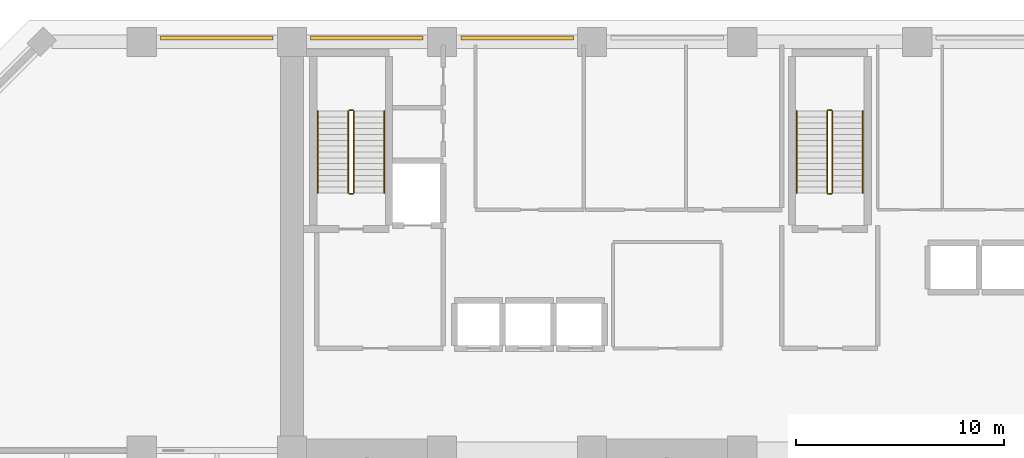
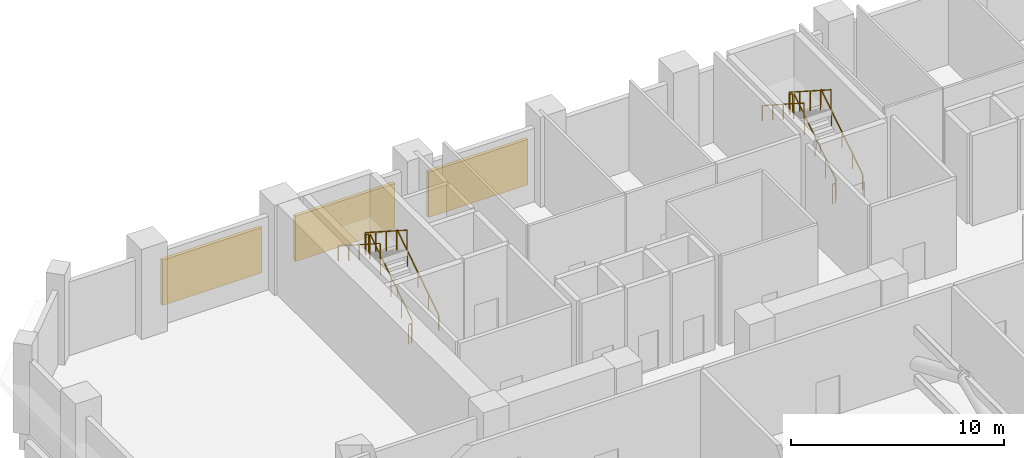
# One storey, part 13 of 15: 12 railings, 3 shading devices.
"""IFC4 building model written with IfcOpenShell, lengths in metres."""

from ifc_helpers import new_model, si_unit, direction, frame, origin, origin_2d, place, context, subcontext, project, spatial, rectangle, extrude, material, type_object, element, save


model = new_model("IFC4")

# Units and contexts
model_context = context("Model", 3, precision=1e-05, world=origin(), true_north=direction((0.0, 1.0)))
body_context = subcontext(model_context, "Body", "Model", "MODEL_VIEW")
ifc_project = project(units=[si_unit("LENGTHUNIT", "METRE"), si_unit("AREAUNIT", "SQUARE_METRE"), si_unit("VOLUMEUNIT", "CUBIC_METRE"), si_unit("PLANEANGLEUNIT", "RADIAN"), si_unit("MASSUNIT", "GRAM", prefix="KILO")], contexts=[model_context])

# Site, building, storey
site_placement = place(None, origin())
site = spatial("IfcSite", under=ifc_project, at=site_placement, CompositionType="ELEMENT")
building_placement = place(site_placement, origin())
building = spatial("IfcBuilding", under=site, at=building_placement, Name="Kaelvorn Grand Hotel", CompositionType="ELEMENT")
storey_placement = place(building_placement, frame((0.0, 0.0, 80.14990234375)))
storey = spatial("IfcBuildingStorey", under=building, at=storey_placement, Name="L18", CompositionType="ELEMENT", Elevation=80.14990234375)

# Railings
ifc_material_1 = material(Name="Stainless Steel", Category="steel")
railing_type_1 = type_object("IfcRailingType", Name="RL-HANDRAIL-900", PredefinedType="HANDRAIL", material=ifc_material_1)
railing_1_placement = place(storey_placement, frame((20.6298828125, 41.760009765625, 0.18017578125)))
element("IfcRailing", 1, at=railing_1_placement, inside=storey, type_object=railing_type_1, Name="L18 ST1 stair handrail 1", PredefinedType="HANDRAIL", context=body_context, shape_type="SweptSolid", body=[
    extrude(rectangle(XDim=0.048095703125, YDim=0.048095703125, at=origin_2d()), frame((0.0, 0.0, 0.8759765625), z_axis=(0.0, 0.841171666519, 0.540768182723), x_axis=(-1.0, 0.0, 0.0)), (0.0, 0.0, 1.0), 4.66015625),
    extrude(rectangle(XDim=0.0419921875, YDim=0.0419921875, at=origin_2d()), origin(), (0.0, 0.0, 1.0), 0.851806640625),
    extrude(rectangle(XDim=0.0419921875, YDim=0.0419921875, at=origin_2d()), frame((0.0, 0.97998046875, 0.6298828125)), (0.0, 0.0, 1.0), 0.851806640625),
    extrude(rectangle(XDim=0.0419921875, YDim=0.0419921875, at=origin_2d()), frame((0.0, 1.9599609375, 1.260009765625)), (0.0, 0.0, 1.0), 0.851806640625),
    extrude(rectangle(XDim=0.0419921875, YDim=0.0419921875, at=origin_2d()), frame((0.0, 2.93994140625, 1.89013671875)), (0.0, 0.0, 1.0), 0.851806640625),
    extrude(rectangle(XDim=0.0419921875, YDim=0.0419921875, at=origin_2d()), frame((0.0, 3.919921875, 2.52001953125)), (0.0, 0.0, 1.0), 0.851806640625),
])
railing_2_placement = place(storey_placement, frame((17.449951171875, 45.679931640625, 2.880126953125)))
element("IfcRailing", 2, at=railing_2_placement, inside=storey, type_object=railing_type_1, Name="L18 ST1 stair handrail 2", PredefinedType="HANDRAIL", context=body_context, shape_type="SweptSolid", body=[
    extrude(rectangle(XDim=0.048095703125, YDim=0.048095703125, at=origin_2d()), frame((0.0, 0.0, 0.8759765625), z_axis=(0.0, -0.841171666519, 0.540768182723), x_axis=(1.0, 0.0, 0.0)), (0.0, 0.0, 1.0), 4.66015625),
    extrude(rectangle(XDim=0.0419921875, YDim=0.0419921875, at=origin_2d()), origin(), (0.0, 0.0, 1.0), 0.851806640625),
    extrude(rectangle(XDim=0.0419921875, YDim=0.0419921875, at=origin_2d()), frame((0.0, -0.97998046875, 0.6298828125)), (0.0, 0.0, 1.0), 0.851806640625),
    extrude(rectangle(XDim=0.0419921875, YDim=0.0419921875, at=origin_2d()), frame((0.0, -1.9599609375, 1.260009765625)), (0.0, 0.0, 1.0), 0.851806640625),
    extrude(rectangle(XDim=0.0419921875, YDim=0.0419921875, at=origin_2d()), frame((0.0, -2.93994140625, 1.89013671875)), (0.0, 0.0, 1.0), 0.851806640625),
    extrude(rectangle(XDim=0.0419921875, YDim=0.0419921875, at=origin_2d()), frame((0.0, -3.919921875, 2.52001953125)), (0.0, 0.0, 1.0), 0.851806640625),
])
railing_3_placement = place(storey_placement, frame((43.590087890625, 41.760009765625, 0.18017578125)))
element("IfcRailing", 3, at=railing_3_placement, inside=storey, type_object=railing_type_1, Name="L18 ST2 stair handrail 1", PredefinedType="HANDRAIL", context=body_context, shape_type="SweptSolid", body=[
    extrude(rectangle(XDim=0.048095703125, YDim=0.048095703125, at=origin_2d()), frame((0.0, 0.0, 0.8759765625), z_axis=(0.0, 0.841171666519, 0.540768182723), x_axis=(-1.0, 0.0, 0.0)), (0.0, 0.0, 1.0), 4.66015625),
    extrude(rectangle(XDim=0.0419921875, YDim=0.0419921875, at=origin_2d()), origin(), (0.0, 0.0, 1.0), 0.851806640625),
    extrude(rectangle(XDim=0.0419921875, YDim=0.0419921875, at=origin_2d()), frame((0.0, 0.97998046875, 0.6298828125)), (0.0, 0.0, 1.0), 0.851806640625),
    extrude(rectangle(XDim=0.0419921875, YDim=0.0419921875, at=origin_2d()), frame((0.0, 1.9599609375, 1.260009765625)), (0.0, 0.0, 1.0), 0.851806640625),
    extrude(rectangle(XDim=0.0419921875, YDim=0.0419921875, at=origin_2d()), frame((0.0, 2.93994140625, 1.89013671875)), (0.0, 0.0, 1.0), 0.851806640625),
    extrude(rectangle(XDim=0.0419921875, YDim=0.0419921875, at=origin_2d()), frame((0.0, 3.919921875, 2.52001953125)), (0.0, 0.0, 1.0), 0.851806640625),
])
railing_4_placement = place(storey_placement, frame((40.409912109375, 45.679931640625, 2.880126953125)))
element("IfcRailing", 4, at=railing_4_placement, inside=storey, type_object=railing_type_1, Name="L18 ST2 stair handrail 2", PredefinedType="HANDRAIL", context=body_context, shape_type="SweptSolid", body=[
    extrude(rectangle(XDim=0.048095703125, YDim=0.048095703125, at=origin_2d()), frame((0.0, 0.0, 0.8759765625), z_axis=(0.0, -0.841171666519, 0.540768182723), x_axis=(1.0, 0.0, 0.0)), (0.0, 0.0, 1.0), 4.66015625),
    extrude(rectangle(XDim=0.0419921875, YDim=0.0419921875, at=origin_2d()), origin(), (0.0, 0.0, 1.0), 0.851806640625),
    extrude(rectangle(XDim=0.0419921875, YDim=0.0419921875, at=origin_2d()), frame((0.0, -0.97998046875, 0.6298828125)), (0.0, 0.0, 1.0), 0.851806640625),
    extrude(rectangle(XDim=0.0419921875, YDim=0.0419921875, at=origin_2d()), frame((0.0, -1.9599609375, 1.260009765625)), (0.0, 0.0, 1.0), 0.851806640625),
    extrude(rectangle(XDim=0.0419921875, YDim=0.0419921875, at=origin_2d()), frame((0.0, -2.93994140625, 1.89013671875)), (0.0, 0.0, 1.0), 0.851806640625),
    extrude(rectangle(XDim=0.0419921875, YDim=0.0419921875, at=origin_2d()), frame((0.0, -3.919921875, 2.52001953125)), (0.0, 0.0, 1.0), 0.851806640625),
])
railing_type_2 = type_object("IfcRailingType", Name="RL-STAIR-GUARD-1150", PredefinedType="BALUSTRADE", material=ifc_material_1)
railing_5_placement = place(storey_placement, frame((19.169921875, 41.760009765625, 0.18017578125)))
element("IfcRailing", 5, at=railing_5_placement, inside=storey, type_object=railing_type_2, Name="L18 ST1 stair guard 1", PredefinedType="BALUSTRADE", context=body_context, shape_type="SweptSolid", body=[
    extrude(rectangle(XDim=0.048095703125, YDim=0.048095703125, at=origin_2d()), frame((0.0, 0.0, 1.1259765625), z_axis=(0.0, 0.841171666519, 0.540768182723), x_axis=(-1.0, 0.0, 0.0)), (0.0, 0.0, 1.0), 4.66015625),
    extrude(rectangle(XDim=0.0419921875, YDim=0.0419921875, at=origin_2d()), origin(), (0.0, 0.0, 1.0), 1.101806640625),
    extrude(rectangle(XDim=0.0419921875, YDim=0.0419921875, at=origin_2d()), frame((0.0, 0.97998046875, 0.6298828125)), (0.0, 0.0, 1.0), 1.101806640625),
    extrude(rectangle(XDim=0.0419921875, YDim=0.0419921875, at=origin_2d()), frame((0.0, 1.9599609375, 1.260009765625)), (0.0, 0.0, 1.0), 1.101806640625),
    extrude(rectangle(XDim=0.0419921875, YDim=0.0419921875, at=origin_2d()), frame((0.0, 2.93994140625, 1.89013671875)), (0.0, 0.0, 1.0), 1.101806640625),
    extrude(rectangle(XDim=0.0419921875, YDim=0.0419921875, at=origin_2d()), frame((0.0, 3.919921875, 2.52001953125)), (0.0, 0.0, 1.0), 1.101806640625),
])
railing_6_placement = place(storey_placement, frame((19.1201171875, 45.72998046875, 2.7001953125)))
element("IfcRailing", 6, at=railing_6_placement, inside=storey, type_object=railing_type_2, Name="L18 ST1 stair guard 2", PredefinedType="BALUSTRADE", context=body_context, shape_type="SweptSolid", body=[
    extrude(rectangle(XDim=0.048095703125, YDim=0.048095703125, at=origin_2d()), frame((0.0, 0.0, 1.1259765625), z_axis=(-1.0, 0.0, 0.0), x_axis=(0.0, -1.0, 0.0)), (0.0, 0.0, 1.0), 0.16015625),
    extrude(rectangle(XDim=0.0419921875, YDim=0.0419921875, at=origin_2d()), origin(), (0.0, 0.0, 1.0), 1.101806640625),
    extrude(rectangle(XDim=0.0419921875, YDim=0.0419921875, at=origin_2d()), frame((-0.16015625, 0.0, 0.0)), (0.0, 0.0, 1.0), 1.101806640625),
])
railing_7_placement = place(storey_placement, frame((18.909912109375, 45.679931640625, 2.880126953125)))
element("IfcRailing", 7, at=railing_7_placement, inside=storey, type_object=railing_type_2, Name="L18 ST1 stair guard 3", PredefinedType="BALUSTRADE", context=body_context, shape_type="SweptSolid", body=[
    extrude(rectangle(XDim=0.048095703125, YDim=0.048095703125, at=origin_2d()), frame((0.0, 0.0, 1.1259765625), z_axis=(0.0, -0.841171666519, 0.540768182723), x_axis=(1.0, 0.0, 0.0)), (0.0, 0.0, 1.0), 4.66015625),
    extrude(rectangle(XDim=0.0419921875, YDim=0.0419921875, at=origin_2d()), origin(), (0.0, 0.0, 1.0), 1.101806640625),
    extrude(rectangle(XDim=0.0419921875, YDim=0.0419921875, at=origin_2d()), frame((0.0, -0.97998046875, 0.6298828125)), (0.0, 0.0, 1.0), 1.101806640625),
    extrude(rectangle(XDim=0.0419921875, YDim=0.0419921875, at=origin_2d()), frame((0.0, -1.9599609375, 1.260009765625)), (0.0, 0.0, 1.0), 1.101806640625),
    extrude(rectangle(XDim=0.0419921875, YDim=0.0419921875, at=origin_2d()), frame((0.0, -2.93994140625, 1.89013671875)), (0.0, 0.0, 1.0), 1.101806640625),
    extrude(rectangle(XDim=0.0419921875, YDim=0.0419921875, at=origin_2d()), frame((0.0, -3.919921875, 2.52001953125)), (0.0, 0.0, 1.0), 1.101806640625),
])
railing_8_placement = place(storey_placement, frame((19.1201171875, 41.7099609375, 0.0)))
element("IfcRailing", 8, at=railing_8_placement, inside=storey, type_object=railing_type_2, Name="L18 ST1 stair guard 4", PredefinedType="BALUSTRADE", context=body_context, shape_type="SweptSolid", body=[
    extrude(rectangle(XDim=0.048095703125, YDim=0.048095703125, at=origin_2d()), frame((0.0, 0.0, 1.1259765625), z_axis=(-1.0, 0.0, 0.0), x_axis=(0.0, -1.0, 0.0)), (0.0, 0.0, 1.0), 0.16015625),
    extrude(rectangle(XDim=0.0419921875, YDim=0.0419921875, at=origin_2d()), origin(), (0.0, 0.0, 1.0), 1.101806640625),
    extrude(rectangle(XDim=0.0419921875, YDim=0.0419921875, at=origin_2d()), frame((-0.16015625, 0.0, 0.0)), (0.0, 0.0, 1.0), 1.101806640625),
])
railing_9_placement = place(storey_placement, frame((42.1298828125, 41.760009765625, 0.18017578125)))
element("IfcRailing", 9, at=railing_9_placement, inside=storey, type_object=railing_type_2, Name="L18 ST2 stair guard 1", PredefinedType="BALUSTRADE", context=body_context, shape_type="SweptSolid", body=[
    extrude(rectangle(XDim=0.048095703125, YDim=0.048095703125, at=origin_2d()), frame((0.0, 0.0, 1.1259765625), z_axis=(0.0, 0.841171666519, 0.540768182723), x_axis=(-1.0, 0.0, 0.0)), (0.0, 0.0, 1.0), 4.66015625),
    extrude(rectangle(XDim=0.0419921875, YDim=0.0419921875, at=origin_2d()), origin(), (0.0, 0.0, 1.0), 1.101806640625),
    extrude(rectangle(XDim=0.0419921875, YDim=0.0419921875, at=origin_2d()), frame((0.0, 0.97998046875, 0.6298828125)), (0.0, 0.0, 1.0), 1.101806640625),
    extrude(rectangle(XDim=0.0419921875, YDim=0.0419921875, at=origin_2d()), frame((0.0, 1.9599609375, 1.260009765625)), (0.0, 0.0, 1.0), 1.101806640625),
    extrude(rectangle(XDim=0.0419921875, YDim=0.0419921875, at=origin_2d()), frame((0.0, 2.93994140625, 1.89013671875)), (0.0, 0.0, 1.0), 1.101806640625),
    extrude(rectangle(XDim=0.0419921875, YDim=0.0419921875, at=origin_2d()), frame((0.0, 3.919921875, 2.52001953125)), (0.0, 0.0, 1.0), 1.101806640625),
])
railing_10_placement = place(storey_placement, frame((42.080078125, 45.72998046875, 2.7001953125)))
element("IfcRailing", 10, at=railing_10_placement, inside=storey, type_object=railing_type_2, Name="L18 ST2 stair guard 2", PredefinedType="BALUSTRADE", context=body_context, shape_type="SweptSolid", body=[
    extrude(rectangle(XDim=0.048095703125, YDim=0.048095703125, at=origin_2d()), frame((0.0, 0.0, 1.1259765625), z_axis=(-1.0, 0.0, 0.0), x_axis=(0.0, -1.0, 0.0)), (0.0, 0.0, 1.0), 0.16015625),
    extrude(rectangle(XDim=0.0419921875, YDim=0.0419921875, at=origin_2d()), origin(), (0.0, 0.0, 1.0), 1.101806640625),
    extrude(rectangle(XDim=0.0419921875, YDim=0.0419921875, at=origin_2d()), frame((-0.16015625, 0.0, 0.0)), (0.0, 0.0, 1.0), 1.101806640625),
])
railing_11_placement = place(storey_placement, frame((41.8701171875, 45.679931640625, 2.880126953125)))
element("IfcRailing", 11, at=railing_11_placement, inside=storey, type_object=railing_type_2, Name="L18 ST2 stair guard 3", PredefinedType="BALUSTRADE", context=body_context, shape_type="SweptSolid", body=[
    extrude(rectangle(XDim=0.048095703125, YDim=0.048095703125, at=origin_2d()), frame((0.0, 0.0, 1.1259765625), z_axis=(0.0, -0.841171666519, 0.540768182723), x_axis=(1.0, 0.0, 0.0)), (0.0, 0.0, 1.0), 4.66015625),
    extrude(rectangle(XDim=0.0419921875, YDim=0.0419921875, at=origin_2d()), origin(), (0.0, 0.0, 1.0), 1.101806640625),
    extrude(rectangle(XDim=0.0419921875, YDim=0.0419921875, at=origin_2d()), frame((0.0, -0.97998046875, 0.6298828125)), (0.0, 0.0, 1.0), 1.101806640625),
    extrude(rectangle(XDim=0.0419921875, YDim=0.0419921875, at=origin_2d()), frame((0.0, -1.9599609375, 1.260009765625)), (0.0, 0.0, 1.0), 1.101806640625),
    extrude(rectangle(XDim=0.0419921875, YDim=0.0419921875, at=origin_2d()), frame((0.0, -2.93994140625, 1.89013671875)), (0.0, 0.0, 1.0), 1.101806640625),
    extrude(rectangle(XDim=0.0419921875, YDim=0.0419921875, at=origin_2d()), frame((0.0, -3.919921875, 2.52001953125)), (0.0, 0.0, 1.0), 1.101806640625),
])
railing_12_placement = place(storey_placement, frame((42.080078125, 41.7099609375, 0.0)))
element("IfcRailing", 12, at=railing_12_placement, inside=storey, type_object=railing_type_2, Name="L18 ST2 stair guard 4", PredefinedType="BALUSTRADE", context=body_context, shape_type="SweptSolid", body=[
    extrude(rectangle(XDim=0.048095703125, YDim=0.048095703125, at=origin_2d()), frame((0.0, 0.0, 1.1259765625), z_axis=(-1.0, 0.0, 0.0), x_axis=(0.0, -1.0, 0.0)), (0.0, 0.0, 1.0), 0.16015625),
    extrude(rectangle(XDim=0.0419921875, YDim=0.0419921875, at=origin_2d()), origin(), (0.0, 0.0, 1.0), 1.101806640625),
    extrude(rectangle(XDim=0.0419921875, YDim=0.0419921875, at=origin_2d()), frame((-0.16015625, 0.0, 0.0)), (0.0, 0.0, 1.0), 1.101806640625),
])

# Shading devices
ifc_material_2 = material(Name="Anodised Aluminium", Category="aluminium")
shading_device_type = type_object("IfcShadingDeviceType", Name="SHD-LOUVRE-PLANT", PredefinedType="USERDEFINED", material=ifc_material_2)
for number, where, z_axis, x_axis, name in (
    (13, (12.60009765625, 49.18994140625, 0.900146484375), (0.0, 0.0, 1.0), (1.0, 0.0, 0.0), "L18 Mechanical Plant Aluminium Louvre Screen N1"),
    (14, (19.800048828125, 49.18994140625, 0.900146484375), (0.0, 0.0, 1.0), (1.0, 0.0, 0.0), "L18 Mechanical Plant Aluminium Louvre Screen N2"),
    (15, (27.0, 49.18994140625, 0.900146484375), (0.0, 0.0, 1.0), (1.0, 0.0, 0.0), "L18 Mechanical Plant Aluminium Louvre Screen N3"),
):
    element("IfcShadingDevice", number, at=place(storey_placement, frame(where, z_axis=z_axis, x_axis=x_axis)), inside=storey, type_object=shading_device_type, Name=name, ObjectType="LOUVRE", PredefinedType="USERDEFINED", context=body_context, shape_type="SweptSolid", body=[
        extrude(rectangle(XDim=5.39990234375, YDim=0.179931640625, at=origin_2d()), origin(), (0.0, 0.0, 1.0), 2.60009765625),
    ])

save(model, "model.ifc")
